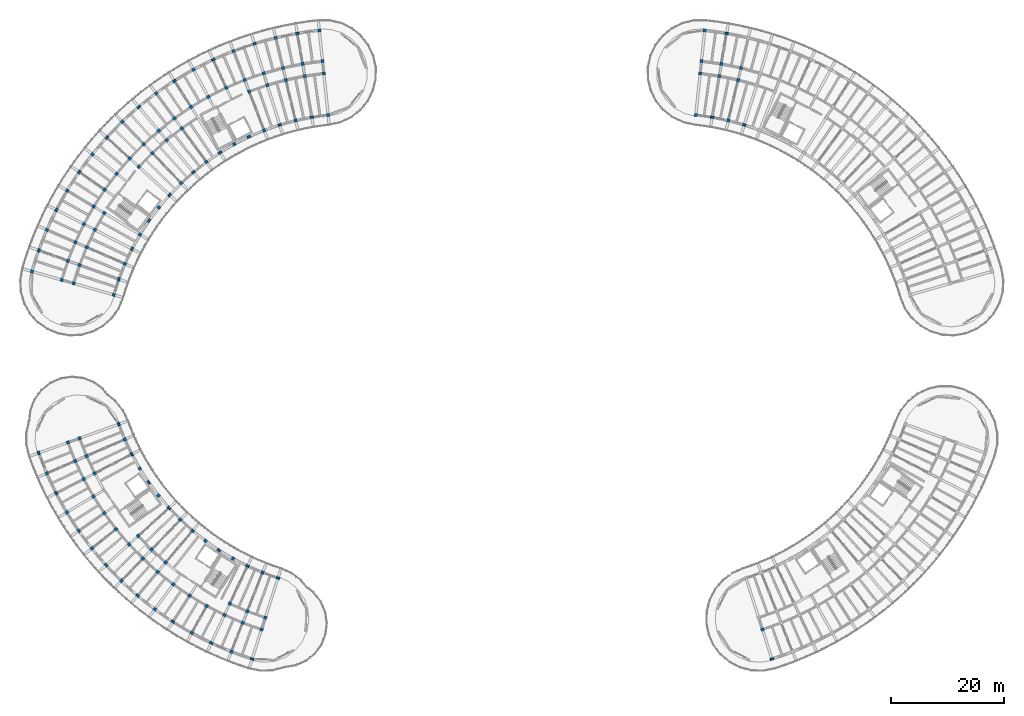
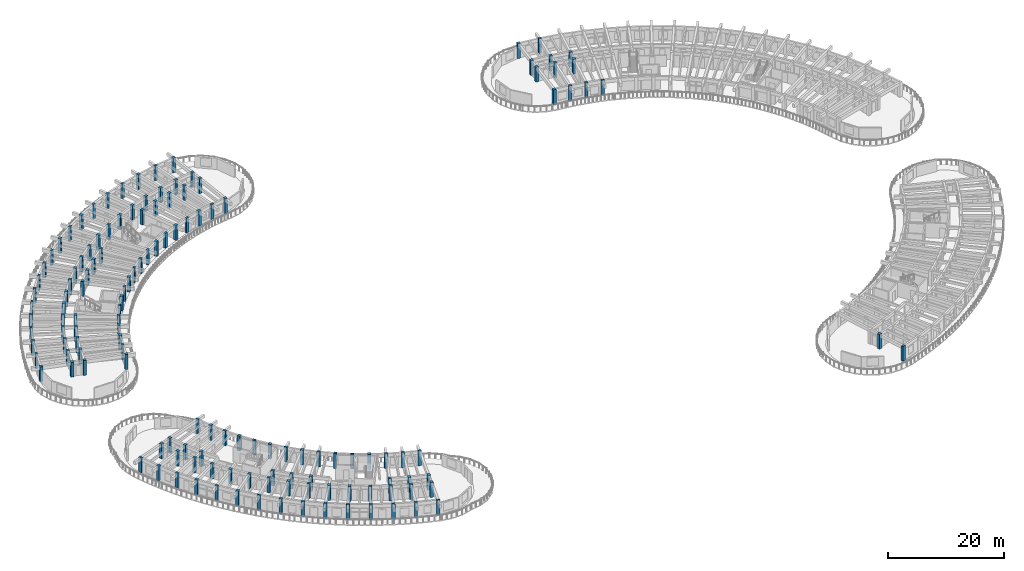
# One storey, part 1 of 78: 139 columns.
"""IFC4 building model written with IfcOpenShell, lengths in metres."""

from ifc_helpers import new_model, si_unit, direction, frame, origin, origin_2d, place, context, subcontext, project, spatial, rectangle, extrude, material, material_profile, profile_set, type_object, element, save


model = new_model("IFC4")

# Units and contexts
model_context = context("Model", 3, precision=1e-05, world=origin(), true_north=direction((0.0, 1.0)))
body_context = subcontext(model_context, "Body", "Model", "MODEL_VIEW")
ifc_project = project(units=[si_unit("LENGTHUNIT", "METRE"), si_unit("AREAUNIT", "SQUARE_METRE"), si_unit("VOLUMEUNIT", "CUBIC_METRE"), si_unit("PLANEANGLEUNIT", "RADIAN"), si_unit("MASSUNIT", "GRAM", prefix="KILO")], contexts=[model_context])

# Site, building, storey
site_placement = place(None, origin())
site = spatial("IfcSite", under=ifc_project, at=site_placement, CompositionType="ELEMENT")
building_placement = place(site_placement, origin())
building = spatial("IfcBuilding", under=site, at=building_placement, Name="Tanwirah Colonnade Gardens", CompositionType="ELEMENT")
storey_placement = place(building_placement, frame((0.0, 0.0, 22.280029296875)))
storey = spatial("IfcBuildingStorey", under=building, at=storey_placement, Name="L06", CompositionType="ELEMENT", Elevation=22.280029296875)

# Columns
ifc_material_1 = material(Name="Precast concrete C40/50", Category="concrete")
ifc_material_profile_1 = material_profile(ifc_material_1, rectangle(XDim=0.56005859375, YDim=0.56005859375, at=origin_2d()), Name="PC-COL 560x560")
ifc_profile_set_1 = profile_set([ifc_material_profile_1], Name="Precast concrete C40/50")
column_type_1 = type_object("IfcColumnType", Name="C-PC480", PredefinedType="COLUMN", material=ifc_profile_set_1)
for number, where, z_axis, x_axis, name in (
    (1, (16.199951171875, 46.97900390625, 0.0), (0.0, 0.0, 1.0), (-0.941176015256, -0.337916718003, 0.0), "Block C L06 Column 1-R1"),
    (2, (14.12939453125, 46.235595703125, 0.0), (0.0, 0.0, 1.0), (-0.941176015256, -0.337916718003, 0.0), "Block C L06 Column 1-R2"),
    (3, (24.236572265625, 46.775634765625, 0.0), (0.0, 0.0, 1.0), (-0.917060074385, -0.398749068925, 0.0), "Block C L06 Column 2-R0"),
    (4, (17.450439453125, 43.824951171875, 0.0), (0.0, 0.0, 1.0), (-0.917060074385, -0.398749068925, 0.0), "Block C L06 Column 2-R1"),
    (5, (15.432861328125, 42.947509765625, 0.0), (0.0, 0.0, 1.0), (-0.917060074385, -0.398749068925, 0.0), "Block C L06 Column 2-R2"),
    (6, (10.38916015625, 40.75439453125, 0.0), (0.0, 0.0, 1.0), (-0.917060074385, -0.398749068925, 0.0), "Block C L06 Column 2-R3"),
    (7, (18.904541015625, 40.75927734375, 0.0), (0.0, 0.0, 1.0), (-0.889017141486, -0.457873915117, 0.0), "Block C L06 Column 3-R1"),
    (8, (16.94873046875, 39.751953125, 0.0), (0.0, 0.0, 1.0), (-0.889017141486, -0.457873915117, 0.0), "Block C L06 Column 3-R2"),
    (9, (26.89892578125, 41.6064453125, 0.0), (0.0, 0.0, 1.0), (-0.857167300702, -0.51503807491, 0.0), "Block C L06 Column 4-R0"),
    (10, (18.670166015625, 36.662109375, 0.0), (0.0, 0.0, 1.0), (-0.857167300702, -0.51503807491, 0.0), "Block C L06 Column 4-R2"),
    (11, (13.95556640625, 33.82958984375, 0.0), (0.0, 0.0, 1.0), (-0.857167300702, -0.51503807491, 0.0), "Block C L06 Column 4-R3"),
    (12, (20.590087890625, 33.691650390625, 0.0), (0.0, 0.0, 1.0), (-0.821646937942, -0.569996762596, 0.0), "Block C L06 Column 5-R2"),
    (13, (30.213134765625, 36.829345703125, 0.0), (0.0, 0.0, 1.0), (-0.782608156852, -0.622514636638, 0.0), "Block C L06 Column 6-R0"),
    (14, (22.699951171875, 30.85302734375, 0.0), (0.0, 0.0, 1.0), (-0.782608156852, -0.622514636638, 0.0), "Block C L06 Column 6-R2"),
    (15, (18.395751953125, 27.42919921875, 0.0), (0.0, 0.0, 1.0), (-0.782608156852, -0.622514636638, 0.0), "Block C L06 Column 6-R3"),
    (16, (26.61962890625, 29.6376953125, 0.0), (0.0, 0.0, 1.0), (-0.740218127487, -0.672366807435, 0.0), "Block C L06 Column 7-R1"),
    (17, (24.9912109375, 28.15869140625, 0.0), (0.0, 0.0, 1.0), (-0.740218127487, -0.672366807435, 0.0), "Block C L06 Column 7-R2"),
    (18, (34.122314453125, 32.525390625, 0.0), (0.0, 0.0, 1.0), (-0.694658370459, -0.719339800339, 0.0), "Block C L06 Column 8-R0"),
    (19, (28.98193359375, 27.2021484375, 0.0), (0.0, 0.0, 1.0), (-0.694658370459, -0.719339800339, 0.0), "Block C L06 Column 8-R1"),
    (20, (27.45361328125, 25.61962890625, 0.0), (0.0, 0.0, 1.0), (-0.694658370459, -0.719339800339, 0.0), "Block C L06 Column 8-R2"),
    (21, (23.633056640625, 21.663330078125, 0.0), (0.0, 0.0, 1.0), (-0.694658370459, -0.719339800339, 0.0), "Block C L06 Column 8-R3"),
    (22, (31.49853515625, 24.926513671875, 0.0), (0.0, 0.0, 1.0), (-0.646123979643, -0.763232469783, 0.0), "Block C L06 Column 9-R1"),
    (23, (30.076904296875, 23.247314453125, 0.0), (0.0, 0.0, 1.0), (-0.646123979643, -0.763232469783, 0.0), "Block C L06 Column 9-R2"),
    (24, (38.56005859375, 28.7685546875, 0.0), (0.0, 0.0, 1.0), (-0.594822786751, -0.803856860617, 0.0), "Block C L06 Column 10-R0"),
    (25, (32.849853515625, 21.051513671875, 0.0), (0.0, 0.0, 1.0), (-0.594822786751, -0.803856860617, 0.0), "Block C L06 Column 10-R2"),
    (26, (29.578369140625, 16.63037109375, 0.0), (0.0, 0.0, 1.0), (-0.594822786751, -0.803856860617, 0.0), "Block C L06 Column 10-R3"),
    (27, (35.76025390625, 19.041748046875, 0.0), (0.0, 0.0, 1.0), (-0.540974471368, -0.841039012964, 0.0), "Block C L06 Column 11-R2"),
    (28, (43.4501953125, 25.623046875, 0.0), (0.0, 0.0, 1.0), (-0.484809620246, -0.874619707139, 0.0), "Block C L06 Column 12-R0"),
    (29, (38.796142578125, 17.226806640625, 0.0), (0.0, 0.0, 1.0), (-0.484809620246, -0.874619707139, 0.0), "Block C L06 Column 12-R2"),
    (30, (36.129638671875, 12.41650390625, 0.0), (0.0, 0.0, 1.0), (-0.484809620246, -0.874619707139, 0.0), "Block C L06 Column 12-R3"),
    (31, (42.88232421875, 17.60400390625, 0.0), (0.0, 0.0, 1.0), (-0.426568739901, -0.904455145454, 0.0), "Block C L06 Column 13-R1"),
    (32, (41.94384765625, 15.6142578125, 0.0), (0.0, 0.0, 1.0), (-0.426568739901, -0.904455145454, 0.0), "Block C L06 Column 13-R2"),
    (33, (48.708984375, 23.142822265625, 0.0), (0.0, 0.0, 1.0), (-0.366501226724, -0.930417567982, 0.0), "Block C L06 Column 14-R0"),
    (34, (45.996826171875, 16.2578125, 0.0), (0.0, 0.0, 1.0), (-0.366501226724, -0.930417567982, 0.0), "Block C L06 Column 14-R1"),
    (35, (45.190673828125, 14.2109375, 0.0), (0.0, 0.0, 1.0), (-0.366501226724, -0.930417567982, 0.0), "Block C L06 Column 14-R2"),
    (36, (43.1748046875, 9.09375, 0.0), (0.0, 0.0, 1.0), (-0.366501226724, -0.930417567982, 0.0), "Block C L06 Column 14-R3"),
    (37, (49.19287109375, 15.1181640625, 0.0), (0.0, 0.0, 1.0), (-0.304864299028, -0.952395799643, 0.0), "Block C L06 Column 15-R1"),
    (38, (48.52197265625, 13.02294921875, 0.0), (0.0, 0.0, 1.0), (-0.304864299028, -0.952395799643, 0.0), "Block C L06 Column 15-R2"),
    (39, (137.47802734375, 13.02294921875, 0.0), (0.0, 0.0, 1.0), (0.304864299028, -0.952395799643, 0.0), "Block D L06 Column 1-R2"),
):
    element("IfcColumn", number, at=place(storey_placement, frame(where, z_axis=z_axis, x_axis=x_axis)), inside=storey, type_object=column_type_1, Name=name, PredefinedType="COLUMN", context=body_context, shape_type="SweptSolid", body=[
        extrude(rectangle(XDim=0.56005859375, YDim=0.56005859375, at=origin_2d()), origin(), (0.0, 0.0, 1.0), 3.10986328125),
    ])
ifc_material_2 = material(Name="Precast concrete C45/55", Category="concrete")
ifc_material_profile_2 = material_profile(ifc_material_2, rectangle(XDim=0.550048828125, YDim=0.550048828125, at=origin_2d()), Name="PC-COL 550x550")
ifc_profile_set_2 = profile_set([ifc_material_profile_2], Name="Precast concrete C45/55")
column_type_2 = type_object("IfcColumnType", Name="C-PC550", PredefinedType="COLUMN", material=ifc_profile_set_2)
for number, where, z_axis, x_axis, name in (
    (40, (60.353759765625, 104.406494140625, 0.0), (0.0, 0.0, 1.0), (-0.104528463268, 0.994521895368, 0.0), "Block A L06 Column 0-R0"),
    (41, (59.580078125, 111.765869140625, 0.0), (0.0, 0.0, 1.0), (-0.104528463268, 0.994521895368, 0.0), "Block A L06 Column 0-R1"),
    (42, (59.350341796875, 113.953857421875, 0.0), (0.0, 0.0, 1.0), (-0.104528463268, 0.994521895368, 0.0), "Block A L06 Column 0-R2"),
    (43, (58.775390625, 119.423828125, 0.0), (0.0, 0.0, 1.0), (-0.104528463268, 0.994521895368, 0.0), "Block A L06 Column 0-R3"),
    (44, (56.1943359375, 111.296875, 0.0), (0.0, 0.0, 1.0), (-0.169827298811, 0.985473839622, 0.0), "Block A L06 Column 1-R1"),
    (45, (55.82080078125, 113.46484375, 0.0), (0.0, 0.0, 1.0), (-0.169827298811, 0.985473839622, 0.0), "Block A L06 Column 1-R2"),
    (46, (54.58154296875, 103.411865234375, 0.0), (0.0, 0.0, 1.0), (-0.23438809799, 0.972143106503, 0.0), "Block A L06 Column 2-R0"),
    (47, (52.846923828125, 110.605712890625, 0.0), (0.0, 0.0, 1.0), (-0.23438809799, 0.972143106503, 0.0), "Block A L06 Column 2-R1"),
    (48, (52.331298828125, 112.744384765625, 0.0), (0.0, 0.0, 1.0), (-0.23438809799, 0.972143106503, 0.0), "Block A L06 Column 2-R2"),
    (49, (51.042236328125, 118.091064453125, 0.0), (0.0, 0.0, 1.0), (-0.23438809799, 0.972143106503, 0.0), "Block A L06 Column 2-R3"),
    (50, (49.55224609375, 109.6953125, 0.0), (0.0, 0.0, 1.0), (-0.297930292146, 0.954587628781, 0.0), "Block A L06 Column 3-R1"),
    (51, (48.89697265625, 111.79541015625, 0.0), (0.0, 0.0, 1.0), (-0.297930292146, 0.954587628781, 0.0), "Block A L06 Column 3-R2"),
    (52, (48.989990234375, 101.666748046875, 0.0), (0.0, 0.0, 1.0), (-0.360177739278, 0.932883699144, 0.0), "Block A L06 Column 4-R0"),
    (53, (46.32470703125, 108.570068359375, 0.0), (0.0, 0.0, 1.0), (-0.360177739278, 0.932883699144, 0.0), "Block A L06 Column 4-R1"),
    (54, (45.532470703125, 110.622314453125, 0.0), (0.0, 0.0, 1.0), (-0.360177739278, 0.932883699144, 0.0), "Block A L06 Column 4-R2"),
    (55, (43.551513671875, 115.753173828125, 0.0), (0.0, 0.0, 1.0), (-0.360177739278, 0.932883699144, 0.0), "Block A L06 Column 4-R3"),
    (56, (42.25244140625, 109.230224609375, 0.0), (0.0, 0.0, 1.0), (-0.420859924104, 0.907125638643, 0.0), "Block A L06 Column 5-R2"),
    (57, (43.6767578125, 99.20166015625, 0.0), (0.0, 0.0, 1.0), (-0.479713133669, 0.877425386791, 0.0), "Block A L06 Column 6-R0"),
    (58, (39.071533203125, 107.624755859375, 0.0), (0.0, 0.0, 1.0), (-0.479713133669, 0.877425386791, 0.0), "Block A L06 Column 6-R2"),
    (59, (36.43310546875, 112.45068359375, 0.0), (0.0, 0.0, 1.0), (-0.479713133669, 0.877425386791, 0.0), "Block A L06 Column 6-R3"),
    (60, (36.003173828125, 105.8134765625, 0.0), (0.0, 0.0, 1.0), (-0.536481603385, 0.843912015099, 0.0), "Block A L06 Column 7-R2"),
    (61, (38.733642578125, 96.05908203125, 0.0), (0.0, 0.0, 1.0), (-0.590918628541, 0.806731166153, 0.0), "Block A L06 Column 8-R0"),
    (62, (34.36083984375, 102.029052734375, 0.0), (0.0, 0.0, 1.0), (-0.590918628541, 0.806731166153, 0.0), "Block A L06 Column 8-R1"),
    (63, (33.060791015625, 103.8037109375, 0.0), (0.0, 0.0, 1.0), (-0.590918628541, 0.806731166153, 0.0), "Block A L06 Column 8-R2"),
    (64, (29.810791015625, 108.24072265625, 0.0), (0.0, 0.0, 1.0), (-0.590918628541, 0.806731166153, 0.0), "Block A L06 Column 8-R3"),
    (65, (31.67138671875, 99.91943359375, 0.0), (0.0, 0.0, 1.0), (-0.642787636427, 0.766044420681, 0.0), "Block A L06 Column 9-R1"),
    (66, (30.25732421875, 101.604736328125, 0.0), (0.0, 0.0, 1.0), (-0.642787636427, 0.766044420681, 0.0), "Block A L06 Column 9-R2"),
    (67, (34.24658203125, 92.294189453125, 0.0), (0.0, 0.0, 1.0), (-0.691863214436, 0.722028595355, 0.0), "Block A L06 Column 10-R0"),
    (68, (29.126953125, 97.63720703125, 0.0), (0.0, 0.0, 1.0), (-0.691863214436, 0.722028595355, 0.0), "Block A L06 Column 10-R1"),
    (69, (27.604736328125, 99.2255859375, 0.0), (0.0, 0.0, 1.0), (-0.691863214436, 0.722028595355, 0.0), "Block A L06 Column 10-R2"),
    (70, (23.799560546875, 103.19677734375, 0.0), (0.0, 0.0, 1.0), (-0.691863214436, 0.722028595355, 0.0), "Block A L06 Column 10-R3"),
    (71, (26.73828125, 95.1923828125, 0.0), (0.0, 0.0, 1.0), (-0.737932089665, 0.674874974378, 0.0), "Block A L06 Column 11-R1"),
    (72, (25.11474609375, 96.677001953125, 0.0), (0.0, 0.0, 1.0), (-0.737932089665, 0.674874974378, 0.0), "Block A L06 Column 11-R2"),
    (73, (30.293701171875, 87.971923828125, 0.0), (0.0, 0.0, 1.0), (-0.780794055756, 0.624788478204, 0.0), "Block A L06 Column 12-R0"),
    (74, (22.798095703125, 93.9697265625, 0.0), (0.0, 0.0, 1.0), (-0.780794055756, 0.624788478204, 0.0), "Block A L06 Column 12-R2"),
    (75, (18.503662109375, 97.40625, 0.0), (0.0, 0.0, 1.0), (-0.780794055756, 0.624788478204, 0.0), "Block A L06 Column 12-R3"),
    (76, (20.664794921875, 91.115966796875, 0.0), (0.0, 0.0, 1.0), (-0.82026284295, 0.57198677299, 0.0), "Block A L06 Column 13-R2"),
    (77, (26.943359375, 83.167236328125, 0.0), (0.0, 0.0, 1.0), (-0.856166927587, 0.516699324663, 0.0), "Block A L06 Column 14-R0"),
    (78, (20.607666015625, 86.990966796875, 0.0), (0.0, 0.0, 1.0), (-0.856166927587, 0.516699324663, 0.0), "Block A L06 Column 14-R1"),
    (79, (18.72412109375, 88.127685546875, 0.0), (0.0, 0.0, 1.0), (-0.856166927587, 0.516699324663, 0.0), "Block A L06 Column 14-R2"),
    (80, (14.015380859375, 90.969482421875, 0.0), (0.0, 0.0, 1.0), (-0.856166927587, 0.516699324663, 0.0), "Block A L06 Column 14-R3"),
    (81, (18.93896484375, 84.0078125, 0.0), (0.0, 0.0, 1.0), (-0.888350277506, 0.459166401705, 0.0), "Block A L06 Column 15-R1"),
    (82, (16.984619140625, 85.017822265625, 0.0), (0.0, 0.0, 1.0), (-0.888350277506, 0.459166401705, 0.0), "Block A L06 Column 15-R2"),
    (83, (24.25390625, 77.9638671875, 0.0), (0.0, 0.0, 1.0), (-0.916673030138, 0.399638030994, 0.0), "Block A L06 Column 16-R0"),
    (84, (17.470458984375, 80.921142578125, 0.0), (0.0, 0.0, 1.0), (-0.916673030138, 0.399638030994, 0.0), "Block A L06 Column 16-R1"),
    (85, (15.453857421875, 81.800537109375, 0.0), (0.0, 0.0, 1.0), (-0.916673030138, 0.399638030994, 0.0), "Block A L06 Column 16-R2"),
    (86, (10.412109375, 83.99853515625, 0.0), (0.0, 0.0, 1.0), (-0.916673030138, 0.399638030994, 0.0), "Block A L06 Column 16-R3"),
    (87, (16.20849609375, 77.74462890625, 0.0), (0.0, 0.0, 1.0), (-0.941012100316, 0.338372911236, 0.0), "Block A L06 Column 17-R1"),
    (88, (14.13818359375, 78.489013671875, 0.0), (0.0, 0.0, 1.0), (-0.941012100316, 0.338372911236, 0.0), "Block A L06 Column 17-R2"),
    (89, (22.27197265625, 72.4521484375, 0.0), (0.0, 0.0, 1.0), (-0.961261715181, 0.275637288708, 0.0), "Block A L06 Column 18-R0"),
    (90, (15.15869140625, 74.49169921875, 0.0), (0.0, 0.0, 1.0), (-0.961261715181, 0.275637288708, 0.0), "Block A L06 Column 18-R1"),
    (91, (13.043701171875, 75.09814453125, 0.0), (0.0, 0.0, 1.0), (-0.961261715181, 0.275637288708, 0.0), "Block A L06 Column 18-R2"),
    (92, (7.7568359375, 76.6142578125, 0.0), (0.0, 0.0, 1.0), (-0.961261715181, 0.275637288708, 0.0), "Block A L06 Column 18-R3"),
    (93, (131.41845703125, 103.411865234375, 0.0), (0.0, 0.0, 1.0), (0.234388030122, 0.972143122866, 0.0), "Block B L06 Column 16-R0"),
    (94, (133.153076171875, 110.605712890625, 0.0), (0.0, 0.0, 1.0), (0.234388030122, 0.972143122866, 0.0), "Block B L06 Column 16-R1"),
    (95, (133.668701171875, 112.744384765625, 0.0), (0.0, 0.0, 1.0), (0.234388030122, 0.972143122866, 0.0), "Block B L06 Column 16-R2"),
    (96, (129.8056640625, 111.296875, 0.0), (0.0, 0.0, 1.0), (0.169827230012, 0.985473851478, 0.0), "Block B L06 Column 17-R1"),
    (97, (130.17919921875, 113.46484375, 0.0), (0.0, 0.0, 1.0), (0.169827230012, 0.985473851478, 0.0), "Block B L06 Column 17-R2"),
    (98, (125.646240234375, 104.406494140625, 0.0), (0.0, 0.0, 1.0), (0.104528393837, 0.994521902666, 0.0), "Block B L06 Column 18-R0"),
    (99, (126.419677734375, 111.765869140625, 0.0), (0.0, 0.0, 1.0), (0.104528393837, 0.994521902666, 0.0), "Block B L06 Column 18-R1"),
    (100, (126.649658203125, 113.953857421875, 0.0), (0.0, 0.0, 1.0), (0.104528393837, 0.994521902666, 0.0), "Block B L06 Column 18-R2"),
    (101, (127.224609375, 119.423828125, 0.0), (0.0, 0.0, 1.0), (0.104528393837, 0.994521902666, 0.0), "Block B L06 Column 18-R3"),
):
    element("IfcColumn", number, at=place(storey_placement, frame(where, z_axis=z_axis, x_axis=x_axis)), inside=storey, type_object=column_type_2, Name=name, PredefinedType="COLUMN", context=body_context, shape_type="SweptSolid", body=[
        extrude(rectangle(XDim=0.550048828125, YDim=0.550048828125, at=origin_2d()), origin(), (0.0, 0.0, 1.0), 3.10986328125),
    ])
ifc_material_profile_3 = material_profile(ifc_material_1, rectangle(XDim=0.3798828125, YDim=0.6201171875, at=origin_2d()), Name="PC-PIL 380x620")
ifc_profile_set_3 = profile_set([ifc_material_profile_3], Name="Precast concrete C40/50")
column_type_3 = type_object("IfcColumnType", Name="PIL-380", PredefinedType="PILASTER", material=ifc_profile_set_3)
for number, where, z_axis, x_axis, name in (
    (102, (57.451171875, 104.00439453125, 0.0), (0.0, 0.0, 1.0), (-0.169827298811, 0.985473839622, 0.0), "Block A L06 Column 1-R0"),
    (103, (54.88671875, 118.885009765625, 0.0), (0.0, 0.0, 1.0), (-0.169827298811, 0.985473839622, 0.0), "Block A L06 Column 1-R3"),
    (104, (51.757080078125, 102.63134765625, 0.0), (0.0, 0.0, 1.0), (-0.297930292146, 0.954587628781, 0.0), "Block A L06 Column 3-R0"),
    (105, (47.25830078125, 117.045654296875, 0.0), (0.0, 0.0, 1.0), (-0.297930292146, 0.954587628781, 0.0), "Block A L06 Column 3-R3"),
    (106, (46.292724609375, 100.521728515625, 0.0), (0.0, 0.0, 1.0), (-0.420859924104, 0.907125638643, 0.0), "Block A L06 Column 5-R0"),
    (107, (39.937744140625, 114.21923828125, 0.0), (0.0, 0.0, 1.0), (-0.420859924104, 0.907125638643, 0.0), "Block A L06 Column 5-R3"),
    (108, (41.1533203125, 97.7119140625, 0.0), (0.0, 0.0, 1.0), (-0.536481603385, 0.843912015099, 0.0), "Block A L06 Column 7-R0"),
    (109, (33.052490234375, 110.455078125, 0.0), (0.0, 0.0, 1.0), (-0.536481603385, 0.843912015099, 0.0), "Block A L06 Column 7-R3"),
    (110, (36.427978515625, 94.250732421875, 0.0), (0.0, 0.0, 1.0), (-0.642787636427, 0.766044420681, 0.0), "Block A L06 Column 9-R0"),
    (111, (26.721923828125, 105.81787109375, 0.0), (0.0, 0.0, 1.0), (-0.642787636427, 0.766044420681, 0.0), "Block A L06 Column 9-R3"),
    (112, (32.198974609375, 90.1982421875, 0.0), (0.0, 0.0, 1.0), (-0.737932089665, 0.674874974378, 0.0), "Block A L06 Column 11-R0"),
    (113, (21.05615234375, 100.388916015625, 0.0), (0.0, 0.0, 1.0), (-0.737932089665, 0.674874974378, 0.0), "Block A L06 Column 11-R3"),
    (114, (28.539306640625, 85.624755859375, 0.0), (0.0, 0.0, 1.0), (-0.82026284295, 0.57198677299, 0.0), "Block A L06 Column 13-R0"),
    (115, (16.1533203125, 94.26171875, 0.0), (0.0, 0.0, 1.0), (-0.82026284295, 0.57198677299, 0.0), "Block A L06 Column 13-R3"),
    (116, (25.512939453125, 80.60986328125, 0.0), (0.0, 0.0, 1.0), (-0.888350277506, 0.459166401705, 0.0), "Block A L06 Column 15-R0"),
    (117, (12.0986328125, 87.54345703125, 0.0), (0.0, 0.0, 1.0), (-0.888350277506, 0.459166401705, 0.0), "Block A L06 Column 15-R3"),
    (118, (23.172119140625, 75.24072265625, 0.0), (0.0, 0.0, 1.0), (-0.941012100316, 0.338372911236, 0.0), "Block A L06 Column 17-R0"),
    (119, (8.962646484375, 80.35009765625, 0.0), (0.0, 0.0, 1.0), (-0.941012100316, 0.338372911236, 0.0), "Block A L06 Column 17-R3"),
    (120, (134.242919921875, 102.63134765625, 0.0), (0.0, 0.0, 1.0), (0.297930225503, 0.954587649581, 0.0), "Block B L06 Column 15-R0"),
    (121, (128.548828125, 104.00439453125, 0.0), (0.0, 0.0, 1.0), (0.169827230012, 0.985473851478, 0.0), "Block B L06 Column 17-R0"),
    (122, (131.11328125, 118.885009765625, 0.0), (0.0, 0.0, 1.0), (0.169827230012, 0.985473851478, 0.0), "Block B L06 Column 17-R3"),
    (123, (23.164794921875, 49.4794921875, 0.0), (0.0, 0.0, 1.0), (-0.941176015256, -0.337916718003, 0.0), "Block C L06 Column 1-R0"),
    (124, (8.952880859375, 44.376953125, 0.0), (0.0, 0.0, 1.0), (-0.941176015256, -0.337916718003, 0.0), "Block C L06 Column 1-R3"),
    (125, (25.483154296875, 44.1474609375, 0.0), (0.0, 0.0, 1.0), (-0.889017141486, -0.457873915117, 0.0), "Block C L06 Column 3-R0"),
    (126, (12.05908203125, 37.233642578125, 0.0), (0.0, 0.0, 1.0), (-0.889017141486, -0.457873915117, 0.0), "Block C L06 Column 3-R3"),
    (127, (28.477783203125, 39.16357421875, 0.0), (0.0, 0.0, 1.0), (-0.821646937942, -0.569996762596, 0.0), "Block C L06 Column 5-R0"),
    (128, (16.071044921875, 30.556640625, 0.0), (0.0, 0.0, 1.0), (-0.821646937942, -0.569996762596, 0.0), "Block C L06 Column 5-R3"),
    (129, (32.097412109375, 34.61328125, 0.0), (0.0, 0.0, 1.0), (-0.740218127487, -0.672366807435, 0.0), "Block C L06 Column 7-R0"),
    (130, (20.919921875, 24.46044921875, 0.0), (0.0, 0.0, 1.0), (-0.740218127487, -0.672366807435, 0.0), "Block C L06 Column 7-R3"),
    (131, (36.27978515625, 30.57421875, 0.0), (0.0, 0.0, 1.0), (-0.646123979643, -0.763232469783, 0.0), "Block C L06 Column 9-R0"),
    (132, (26.5234375, 19.049560546875, 0.0), (0.0, 0.0, 1.0), (-0.646123979643, -0.763232469783, 0.0), "Block C L06 Column 9-R3"),
    (133, (40.95361328125, 27.11572265625, 0.0), (0.0, 0.0, 1.0), (-0.540974471368, -0.841039012964, 0.0), "Block C L06 Column 11-R0"),
    (134, (32.784912109375, 14.416015625, 0.0), (0.0, 0.0, 1.0), (-0.540974471368, -0.841039012964, 0.0), "Block C L06 Column 11-R3"),
    (135, (46.0390625, 24.296875, 0.0), (0.0, 0.0, 1.0), (-0.426568739901, -0.904455145454, 0.0), "Block C L06 Column 13-R0"),
    (136, (39.597900390625, 10.6396484375, 0.0), (0.0, 0.0, 1.0), (-0.426568739901, -0.904455145454, 0.0), "Block C L06 Column 13-R3"),
    (137, (51.44873046875, 22.166015625, 0.0), (0.0, 0.0, 1.0), (-0.304864299028, -0.952395799643, 0.0), "Block C L06 Column 15-R0"),
    (138, (46.84521484375, 7.784912109375, 0.0), (0.0, 0.0, 1.0), (-0.304864299028, -0.952395799643, 0.0), "Block C L06 Column 15-R3"),
    (139, (139.15478515625, 7.784912109375, 0.0), (0.0, 0.0, 1.0), (0.304864299028, -0.952395799643, 0.0), "Block D L06 Column 1-R3"),
):
    element("IfcColumn", number, at=place(storey_placement, frame(where, z_axis=z_axis, x_axis=x_axis)), inside=storey, type_object=column_type_3, Name=name, PredefinedType="PILASTER", context=body_context, shape_type="SweptSolid", body=[
        extrude(rectangle(XDim=0.3798828125, YDim=0.6201171875, at=origin_2d()), origin(), (0.0, 0.0, 1.0), 3.10986328125),
    ])

save(model, "model.ifc")
